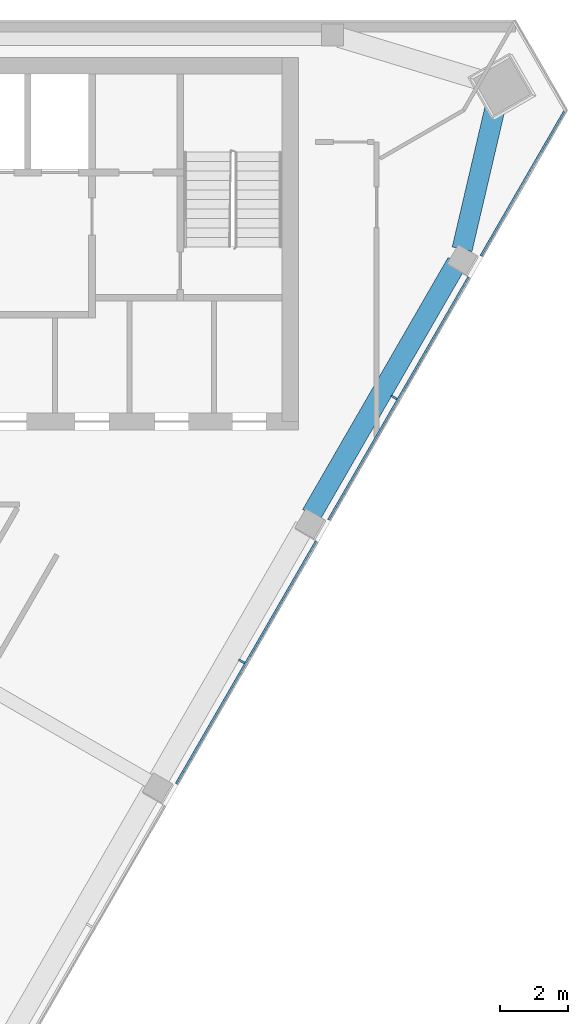
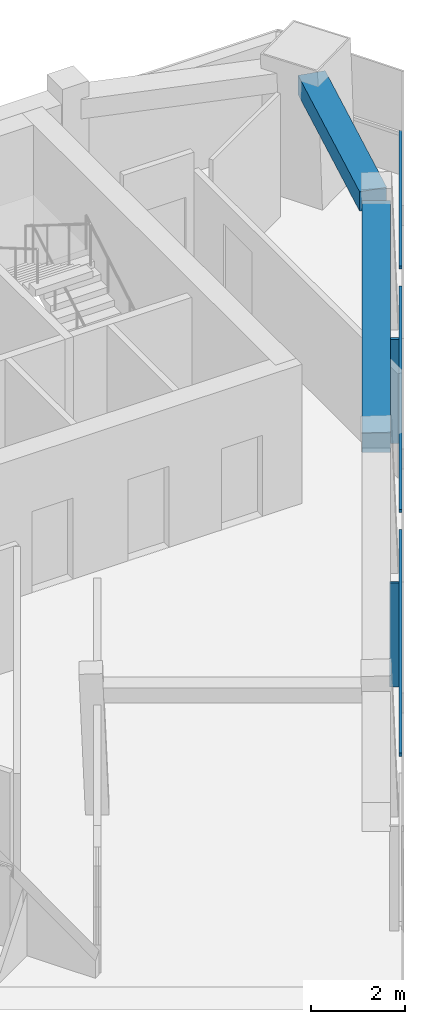
# One storey, part 4 of 9: 5 members, 2 beams, 1 element without a shape of its own.
"""IFC4 building model written with IfcOpenShell, lengths in metres."""

from ifc_helpers import new_model, si_unit, direction, frame, origin, origin_2d, place, context, subcontext, project, spatial, rectangle, extrude, material, layer, layer_set, material_profile, profile_set, type_object, element, aggregate, save


model = new_model("IFC4")

# Units and contexts
model_context = context("Model", 3, precision=1e-05, world=origin(), true_north=direction((0.0, 1.0)))
body_context = subcontext(model_context, "Body", "Model", "MODEL_VIEW")
ifc_project = project(units=[si_unit("LENGTHUNIT", "METRE"), si_unit("AREAUNIT", "SQUARE_METRE"), si_unit("VOLUMEUNIT", "CUBIC_METRE"), si_unit("PLANEANGLEUNIT", "RADIAN"), si_unit("MASSUNIT", "GRAM", prefix="KILO")], contexts=[model_context])

# Site, building, storey
site_placement = place(None, origin())
site = spatial("IfcSite", under=ifc_project, at=site_placement, CompositionType="ELEMENT")
building_placement = place(site_placement, origin())
building = spatial("IfcBuilding", under=site, at=building_placement, Name="Altiplano Prism Tower", CompositionType="ELEMENT")
storey_placement = place(building_placement, frame((0.0, 0.0, 350.800048828125)))
storey = spatial("IfcBuildingStorey", under=building, at=storey_placement, Name="L91", CompositionType="ELEMENT", Elevation=350.800048828125)

# Curtain wall, members
ifc_material_1 = material(Name="Aluminium and glass", Category="aluminium")
ifc_layer = layer(ifc_material_1, 0.303955078125)
ifc_layer_set = layer_set([ifc_layer], Name="Aluminium and glass")
curtain_wall_type = type_object("IfcCurtainWallType", Name="CW2 lounge-band unitised glazing", PredefinedType="NOTDEFINED", material=ifc_layer_set)
curtain_wall_placement = place(storey_placement, origin())
curtain_wall = element("IfcCurtainWall", 1, at=curtain_wall_placement, inside=storey, type_object=curtain_wall_type, Name="CW2 curtain wall south-east face L91", PredefinedType="NOTDEFINED")
ifc_material_2 = material(Name="Aluminium", Category="aluminium")
ifc_material_profile_1 = material_profile(ifc_material_2, rectangle(XDim=0.199951171875, YDim=0.06005859375, at=origin_2d()), Name="CW2 mullion 60 x 200")
ifc_profile_set_1 = profile_set([ifc_material_profile_1], Name="Aluminium")
member_type_1 = type_object("IfcMemberType", Name="CW2 mullion 60 x 200", PredefinedType="MULLION", material=ifc_profile_set_1)
member_1_placement = place(storey_placement, frame((95.815185546875, 86.0634765625, 0.0), z_axis=(0.0, 0.0, 1.0), x_axis=(-0.866025409876, 0.49999998945, 0.0)))
member_1 = element("IfcMember", 2, at=member_1_placement, type_object=member_type_1, Name="CW2 mullion", PredefinedType="MULLION", context=body_context, shape_type="SweptSolid", body=[
    extrude(rectangle(XDim=0.199951171875, YDim=0.06005859375, at=origin_2d()), origin(), (0.0, 0.0, 1.0), 2.699951171875),
])
member_2_placement = place(storey_placement, frame((100.315185546875, 93.857666015625, 0.0), z_axis=(0.0, 0.0, 1.0), x_axis=(-0.866025409876, 0.49999998945, 0.0)))
member_2 = element("IfcMember", 3, at=member_2_placement, type_object=member_type_1, Name="CW2 mullion", PredefinedType="MULLION", context=body_context, shape_type="SweptSolid", body=[
    extrude(rectangle(XDim=0.199951171875, YDim=0.06005859375, at=origin_2d()), origin(), (0.0, 0.0, 1.0), 2.699951171875),
])
ifc_material_profile_2 = material_profile(ifc_material_2, rectangle(XDim=0.06005859375, YDim=0.080078125, at=origin_2d()), Name="CW2 transom 80 x 60")
ifc_profile_set_2 = profile_set([ifc_material_profile_2], Name="Aluminium")
member_type_2 = type_object("IfcMemberType", Name="CW2 transom 80 x 60", PredefinedType="USERDEFINED", material=ifc_profile_set_2)
member_3_placement = place(storey_placement, frame((93.880126953125, 82.45166015625, 1.099853515625), z_axis=(0.499996734306, 0.866027289225, 0.0), x_axis=(-0.866027289225, 0.499996734306, 0.0)))
member_3 = element("IfcMember", 4, at=member_3_placement, type_object=member_type_2, Name="CW2 transom", ObjectType="TRANSOM", PredefinedType="USERDEFINED", context=body_context, shape_type="SweptSolid", body=[
    extrude(rectangle(XDim=0.06005859375, YDim=0.080078125, at=origin_2d()), origin(), (0.0, 0.0, 1.0), 8.27001953125),
])
member_4_placement = place(storey_placement, frame((98.380126953125, 90.245849609375, 1.099853515625), z_axis=(0.499996734306, 0.866027289225, 0.0), x_axis=(-0.866027289225, 0.499996734306, 0.0)))
member_4 = element("IfcMember", 5, at=member_4_placement, type_object=member_type_2, Name="CW2 transom", ObjectType="TRANSOM", PredefinedType="USERDEFINED", context=body_context, shape_type="SweptSolid", body=[
    extrude(rectangle(XDim=0.06005859375, YDim=0.080078125, at=origin_2d()), origin(), (0.0, 0.0, 1.0), 8.27001953125),
])
member_5_placement = place(storey_placement, frame((102.880126953125, 98.040283203125, 1.099853515625), z_axis=(0.500018185892, 0.8660149039, 0.0), x_axis=(-0.8660149039, 0.500018185892, 0.0)))
member_5 = element("IfcMember", 6, at=member_5_placement, type_object=member_type_2, Name="CW2 transom", ObjectType="TRANSOM", PredefinedType="USERDEFINED", context=body_context, shape_type="SweptSolid", body=[
    extrude(rectangle(XDim=0.06005859375, YDim=0.080078125, at=origin_2d()), origin(), (0.0, 0.0, 1.0), 5.002197265625),
])
aggregate(curtain_wall, [member_1, member_3, member_2, member_4, member_5])

# Beams
ifc_material_3 = material(Name="Concrete C60/75", Category="concrete")
ifc_material_profile_3 = material_profile(ifc_material_3, rectangle(XDim=0.60009765625, YDim=0.5, at=origin_2d()), Name="Edge beam 600x500")
ifc_profile_set_3 = profile_set([ifc_material_profile_3], Name="Concrete C60/75")
beam_type = type_object("IfcBeamType", Name="Edge beam 600x500", PredefinedType="SPANDREL", material=ifc_profile_set_3)
beam_1_placement = place(storey_placement, frame((102.322265625, 98.230224609375, 2.949951171875), z_axis=(0.227406245493, 0.973799979211, 0.0), x_axis=(-0.973799979211, 0.227406245493, 0.0)))
element("IfcBeam", 7, at=beam_1_placement, inside=storey, type_object=beam_type, Name="Edge beam P24-M2 L92", PredefinedType="SPANDREL", context=body_context, shape_type="SweptSolid", body=[
    extrude(rectangle(XDim=0.60009765625, YDim=0.5, at=origin_2d()), origin(), (0.0, 0.0, 1.0), 4.50048828125),
])
beam_2_placement = place(storey_placement, frame((97.874755859375, 90.399658203125, 2.949951171875), z_axis=(0.499990619765, 0.866030819398, 0.0), x_axis=(-0.866030819398, 0.499990619765, 0.0)))
element("IfcBeam", 8, at=beam_2_placement, inside=storey, type_object=beam_type, Name="Edge beam P23-P24 L92", PredefinedType="SPANDREL", context=body_context, shape_type="SweptSolid", body=[
    extrude(rectangle(XDim=0.60009765625, YDim=0.5, at=origin_2d()), origin(), (0.0, 0.0, 1.0), 8.590087890625),
])

save(model, "model.ifc")
